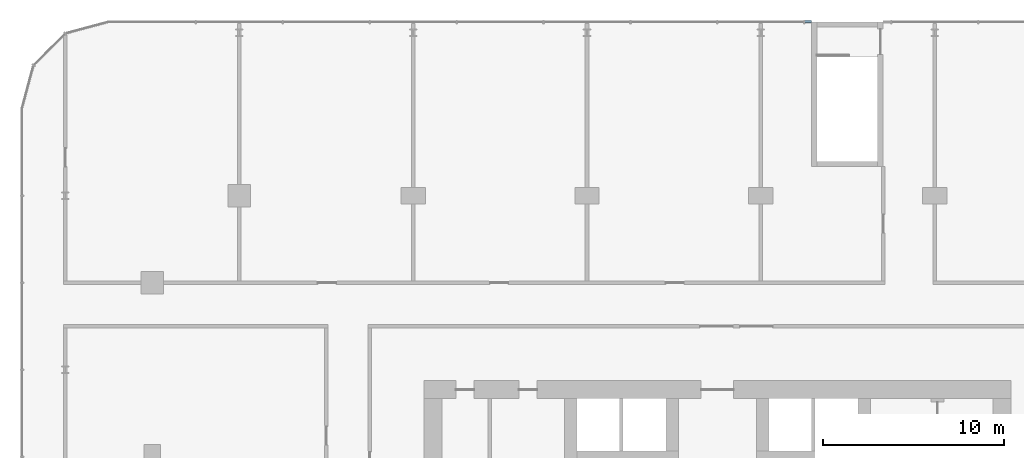
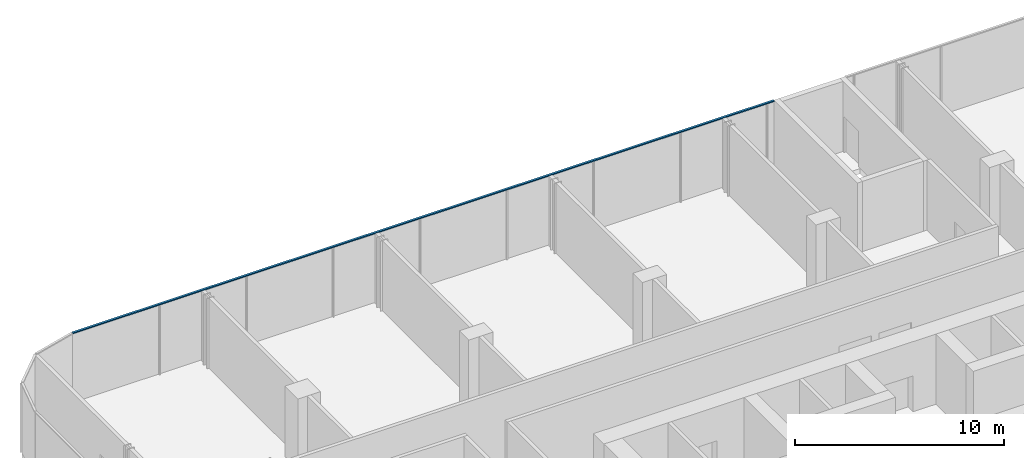
# One storey, part 16 of 32: 1 member, 1 element without a shape of its own.
"""IFC4 building model written with IfcOpenShell, lengths in metres."""

from ifc_helpers import new_model, si_unit, direction, frame, origin, origin_2d, place, context, subcontext, project, spatial, rectangle, extrude, material, layer, layer_set, material_profile, profile_set, type_object, element, aggregate, save


model = new_model("IFC4")

# Units and contexts
model_context = context("Model", 3, precision=1e-05, world=origin(), true_north=direction((0.0, 1.0)))
body_context = subcontext(model_context, "Body", "Model", "MODEL_VIEW")
ifc_project = project(units=[si_unit("LENGTHUNIT", "METRE"), si_unit("AREAUNIT", "SQUARE_METRE"), si_unit("VOLUMEUNIT", "CUBIC_METRE"), si_unit("PLANEANGLEUNIT", "RADIAN"), si_unit("MASSUNIT", "GRAM", prefix="KILO")], contexts=[model_context])

# Site, building, storey
site_placement = place(None, origin())
site = spatial("IfcSite", under=ifc_project, at=site_placement, CompositionType="ELEMENT")
building_placement = place(site_placement, origin())
building = spatial("IfcBuilding", under=site, at=building_placement, Name="Madar Terraces", CompositionType="ELEMENT")
storey_placement = place(building_placement, frame((0.0, 0.0, 19.5)))
storey = spatial("IfcBuildingStorey", under=building, at=storey_placement, Name="L04", CompositionType="ELEMENT", Elevation=19.5)

# Curtain wall, member
ifc_material_1 = material(Name="Glass, clear low-iron, with black aluminium frame", Category="aluminium")
ifc_layer = layer(ifc_material_1, 0.199951171875)
ifc_layer_set = layer_set([ifc_layer], Name="Facade curtain wall, shopfront glazing")
curtain_wall_type = type_object("IfcCurtainWallType", Name="Facade curtain wall, shopfront glazing", PredefinedType="NOTDEFINED", material=ifc_layer_set)
curtain_wall_placement = place(storey_placement, origin())
curtain_wall = element("IfcCurtainWall", 1, at=curtain_wall_placement, inside=storey, type_object=curtain_wall_type, Name="Outer skin curtain wall north bay 1", PredefinedType="NOTDEFINED")
ifc_material_2 = material(Name="Aluminium, black anodised", Category="aluminium")
ifc_material_profile = material_profile(ifc_material_2, rectangle(XDim=0.1201171875, YDim=0.06005859375, at=origin_2d()), Name="Facade transom 60x120")
ifc_profile_set = profile_set([ifc_material_profile], Name="Aluminium, black anodised")
member_type = type_object("IfcMemberType", Name="Facade transom 60x120", PredefinedType="USERDEFINED", material=ifc_profile_set)
member_placement = place(storey_placement, frame((36.39990234375, 57.60009765625, 4.070068359375), z_axis=(-1.0, 0.0, 0.0), x_axis=(0.0, -1.0, 0.0)))
member = element("IfcMember", 2, at=member_placement, type_object=member_type, Name="Transom 2", ObjectType="TRANSOM", PredefinedType="USERDEFINED", context=body_context, shape_type="SweptSolid", body=[
    extrude(rectangle(XDim=0.1201171875, YDim=0.06005859375, at=origin_2d()), origin(), (0.0, 0.0, 1.0), 38.7998046875),
])
aggregate(curtain_wall, [member])

save(model, "model.ifc")
